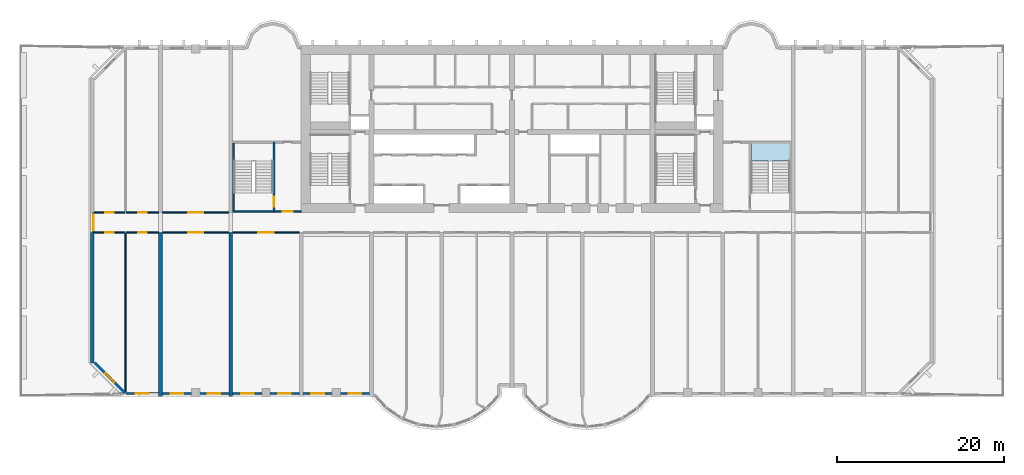
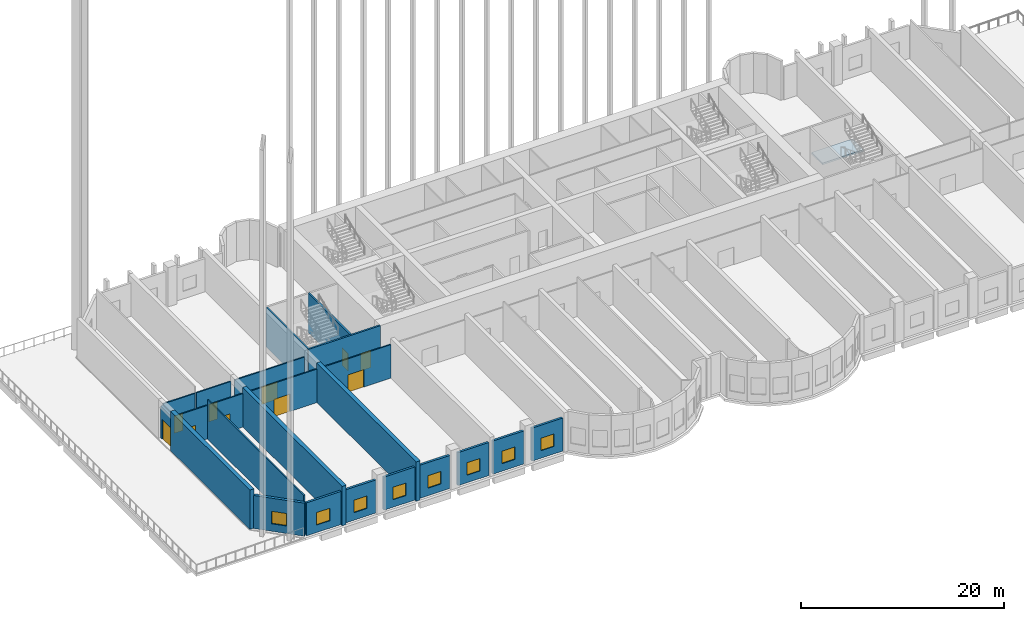
# One storey, part 2 of 11: 23 walls, 10 doors, 8 windows, 1 slab, 18 openings, 1 element without a shape of its own.
"""IFC4 building model written with IfcOpenShell, lengths in metres."""

import ifcopenshell
import ifcopenshell.guid

model = None  # the IFC model being written
_history = None  # IfcOwnerHistory: only IFC2X3 demands one
_inside = {}  # id of a spatial element -> (the spatial element, [elements in it])
_under = {}  # id of a project, library or spatial element -> (it, [spatial elements below it])
_declared = {}  # id of a project -> (the project, [libraries it declares])
_typed = {}  # id of a type object -> (the type object, [elements of that type])
_made_of = {}  # id of a material, layer set ... -> (it, [elements and type objects made of it])


def new_model(schema):
    """Start an empty IFC model of exactly this schema.

    Asked for "IFC4X3", IfcOpenShell would pick the latest addendum, in which some entities
    have other attributes; the version numbers below select the first issue.
    IFC2X3 requires an IfcOwnerHistory on every rooted entity: one is made here for all.
    """
    global model, _history
    if schema == "IFC4X3":
        model = ifcopenshell.file(schema_version=(4, 3, 0, 0))
    else:
        model = ifcopenshell.file(schema=schema)
    _inside.clear()
    _under.clear()
    _declared.clear()
    _typed.clear()
    _made_of.clear()
    _history = None
    if model.schema == "IFC2X3":
        org = make("IfcOrganization", Name="unknown")
        user = make(
            "IfcPersonAndOrganization",
            ThePerson=make("IfcPerson", FamilyName="unknown"),
            TheOrganization=org,
        )
        app = make(
            "IfcApplication",
            ApplicationDeveloper=org,
            Version="unknown",
            ApplicationFullName="unknown",
            ApplicationIdentifier="unknown",
        )
        _history = make(
            "IfcOwnerHistory",
            OwningUser=user,
            OwningApplication=app,
            ChangeAction="ADDED",
            CreationDate=0,
        )
    return model


def make(cls, **values):
    """One entity of the class cls with the attributes given. An attribute that is None is left unset."""
    return model.create_entity(
        cls, **{name: value for name, value in values.items() if value is not None}
    )


def rooted(cls, **values):
    """An entity with a GlobalId (a new one), such as an element, a storey or a relation."""
    return make(cls, GlobalId=ifcopenshell.guid.new(), OwnerHistory=_history, **values)


def si_unit(unit_type, name, prefix=None):
    """IfcSIUnit, for example si_unit("LENGTHUNIT", "METRE", prefix="MILLI")."""
    return make("IfcSIUnit", UnitType=unit_type, Prefix=prefix, Name=name)


def assignment(units):
    """IfcUnitAssignment: the units of a project."""
    return None if units is None else make("IfcUnitAssignment", Units=units)


def point(xyz):
    """IfcCartesianPoint."""
    return None if xyz is None else make("IfcCartesianPoint", Coordinates=xyz)


def direction(xyz):
    """IfcDirection."""
    return None if xyz is None else make("IfcDirection", DirectionRatios=xyz)


def frame(location, z_axis=None, x_axis=None):
    """IfcAxis2Placement3D, a coordinate frame: its origin and axes. An axis left out is left unset."""
    return make(
        "IfcAxis2Placement3D",
        Location=point(location),
        Axis=direction(z_axis),
        RefDirection=direction(x_axis),
    )


def frame_2d(location, x_axis=None):
    """IfcAxis2Placement2D, a coordinate frame in the plane: its origin and x axis."""
    return make(
        "IfcAxis2Placement2D", Location=point(location), RefDirection=direction(x_axis)
    )


def origin():
    """The frame at (0, 0, 0) with its axes left unset."""
    return frame((0.0, 0.0, 0.0))


def place(relative_to, where):
    """IfcLocalPlacement: puts the frame where relative to a parent placement (None: the world)."""
    return make(
        "IfcLocalPlacement", PlacementRelTo=relative_to, RelativePlacement=where
    )


def context(
    kind, dimensions, precision=None, world=None, true_north=None, identifier=None
):
    """IfcGeometricRepresentationContext, for example the 3D "Model" context."""
    return make(
        "IfcGeometricRepresentationContext",
        ContextIdentifier=identifier,
        ContextType=kind,
        CoordinateSpaceDimension=dimensions,
        Precision=precision,
        WorldCoordinateSystem=world,
        TrueNorth=true_north,
    )


def subcontext(parent, identifier, kind, view, scale=None):
    """IfcGeometricRepresentationSubContext, for example "Body" below "Model"."""
    return make(
        "IfcGeometricRepresentationSubContext",
        ContextIdentifier=identifier,
        ContextType=kind,
        ParentContext=parent,
        TargetScale=scale,
        TargetView=view,
    )


def project(units=None, contexts=None):
    """IfcProject with its units and contexts."""
    return rooted(
        "IfcProject",
        Name="project",
        RepresentationContexts=contexts,
        UnitsInContext=assignment(units),
    )


def spatial(cls, under=None, at=None, **own):
    """A site, building, storey or space (cls), placed at a placement, below another one or the project."""
    s = rooted(cls, ObjectPlacement=at, **own)
    if under is not None:
        _under.setdefault(under.id(), (under, []))[1].append(s)
    return s


def polyline(points):
    """IfcPolyline through the points."""
    return make("IfcPolyline", Points=[point(p) for p in points])


def profile(cls, at=None, kind="AREA", **sizes):
    """A parametric profile (cls). Its sizes go by their IFC names, for example OverallWidth=200.0."""
    return make(cls, ProfileType=kind, Position=at, **sizes)


def rectangle(**sizes):
    """IfcRectangleProfileDef."""
    return profile("IfcRectangleProfileDef", **sizes)


def outline(outer, holes=None, kind="AREA"):
    """IfcArbitraryClosedProfileDef: a profile drawn as a closed curve; with holes, ...WithVoids."""
    if holes is None:
        return make("IfcArbitraryClosedProfileDef", ProfileType=kind, OuterCurve=outer)
    return make(
        "IfcArbitraryProfileDefWithVoids",
        ProfileType=kind,
        OuterCurve=outer,
        InnerCurves=holes,
    )


def extrude(swept, where, along, depth):
    """IfcExtrudedAreaSolid: the profile swept, set in the frame where, extruded along a direction by depth."""
    return make(
        "IfcExtrudedAreaSolid",
        SweptArea=swept,
        Position=where,
        ExtrudedDirection=direction(along),
        Depth=depth,
    )


def shape(context_of_items, identifier, shape_type, items):
    """IfcShapeRepresentation: the items that make up one representation, for example the "Body"."""
    return make(
        "IfcShapeRepresentation",
        ContextOfItems=context_of_items,
        RepresentationIdentifier=identifier,
        RepresentationType=shape_type,
        Items=items,
    )


def source(mapping_origin, context_of_items, identifier, shape_type, items):
    """IfcRepresentationMap: a shape defined once, which mapped items show again and again."""
    return make(
        "IfcRepresentationMap",
        MappingOrigin=mapping_origin,
        MappedRepresentation=shape(context_of_items, identifier, shape_type, items),
    )


def transform(
    local_origin,
    x_axis=None,
    y_axis=None,
    z_axis=None,
    scale=None,
    scale2=None,
    scale3=None,
    uniform=True,
):
    """IfcCartesianTransformationOperator3D, or its non-uniform kind. x_axis, y_axis, z_axis: its Axis1, 2, 3."""
    if uniform:
        return make(
            "IfcCartesianTransformationOperator3D",
            Axis1=direction(x_axis),
            Axis2=direction(y_axis),
            LocalOrigin=point(local_origin),
            Scale=scale,
            Axis3=direction(z_axis),
        )
    return make(
        "IfcCartesianTransformationOperator3DnonUniform",
        Axis1=direction(x_axis),
        Axis2=direction(y_axis),
        LocalOrigin=point(local_origin),
        Scale=scale,
        Axis3=direction(z_axis),
        Scale2=scale2,
        Scale3=scale3,
    )


def mapped(mapping_source, mapping_target):
    """IfcMappedItem: shows the shape of a source again, moved by a transform."""
    return make(
        "IfcMappedItem", MappingSource=mapping_source, MappingTarget=mapping_target
    )


def material(Name=None, Category=None):
    """IfcMaterial."""
    return make("IfcMaterial", Name=Name, Category=Category)


def layer(
    of_material, thickness, ventilated=None, Name=None, Category=None, Priority=None
):
    """IfcMaterialLayer: one layer of a wall or slab, of a material (None: an air gap)."""
    return make(
        "IfcMaterialLayer",
        Material=of_material,
        LayerThickness=thickness,
        IsVentilated=ventilated,
        Name=Name,
        Category=Category,
        Priority=Priority,
    )


def layer_set(layers, Name=None):
    """IfcMaterialLayerSet."""
    return make("IfcMaterialLayerSet", MaterialLayers=layers, LayerSetName=Name)


def made_of(thing, what):
    """Note that an element or type object is made of a material, layer set ...; save() writes the relation."""
    if what is not None:
        _made_of.setdefault(what.id(), (what, []))[1].append(thing)
    return thing


def type_object(cls, material=None, **own):
    """A type object (cls), such as IfcWallType, which elements share."""
    return made_of(rooted(cls, **own), material)


def element(
    cls,
    number,
    at=None,
    inside=None,
    cuts=None,
    type_object=None,
    material=None,
    context=None,
    identifier="Body",
    shape_type=None,
    held_by="IfcProductDefinitionShape",
    body=None,
    shapes=None,
    **own,
):
    """One element of the class cls, such as IfcWall. Its Tag is "e" and its number.

    at: its placement. inside: the storey or other place that contains it. cuts: it is an
    opening in that element (IfcRelVoidsElement). A single representation is given by context,
    identifier, shape_type and body (its items); several are given by shapes. held_by: the class
    of the entity that holds the representations. save() writes the other relations.
    """
    e = rooted(cls, Tag="e%d" % number, ObjectPlacement=at, **own)
    if body is not None:
        shapes = [shape(context, identifier, shape_type, body)]
    if shapes is not None:
        e.Representation = make(held_by, Representations=shapes)
    if inside is not None:
        _inside.setdefault(inside.id(), (inside, []))[1].append(e)
    if cuts is not None:
        rooted(
            "IfcRelVoidsElement", RelatingBuildingElement=cuts, RelatedOpeningElement=e
        )
    if type_object is not None:
        _typed.setdefault(type_object.id(), (type_object, []))[1].append(e)
    return made_of(e, material)


def fill(opening, filler):
    """IfcRelFillsElement: the door or window that sits in an opening."""
    return rooted(
        "IfcRelFillsElement",
        RelatingOpeningElement=opening,
        RelatedBuildingElement=filler,
    )


def aggregate(whole, parts):
    """IfcRelAggregates: a whole, such as a stair, and the parts it consists of."""
    return rooted("IfcRelAggregates", RelatingObject=whole, RelatedObjects=parts)


def save(model, path):
    """Write the relations noted so far, then the file.

    IfcRelAggregates (storeys below a building ...), IfcRelContainedInSpatialStructure (elements
    in a storey), IfcRelDefinesByType, IfcRelAssociatesMaterial and IfcRelDeclares: one each for
    every whole, place, type object, material and project.
    """
    for whole, parts in _under.values():
        aggregate(whole, parts)
    for where, things in _inside.values():
        rooted(
            "IfcRelContainedInSpatialStructure",
            RelatedElements=things,
            RelatingStructure=where,
        )
    for kind, things in _typed.values():
        rooted("IfcRelDefinesByType", RelatedObjects=things, RelatingType=kind)
    for what, things in _made_of.values():
        rooted("IfcRelAssociatesMaterial", RelatedObjects=things, RelatingMaterial=what)
    for by, libraries in _declared.values():
        rooted("IfcRelDeclares", RelatingContext=by, RelatedDefinitions=libraries)
    model.write(path)


model = new_model("IFC4")

# Units and contexts
model_context = context("Model", 3, precision=1e-05, world=origin(), true_north=direction((0.0, 1.0)))
body_context = subcontext(model_context, "Body", "Model", "MODEL_VIEW")
ifc_project = project(units=[si_unit("LENGTHUNIT", "METRE"), si_unit("AREAUNIT", "SQUARE_METRE"), si_unit("VOLUMEUNIT", "CUBIC_METRE"), si_unit("PLANEANGLEUNIT", "RADIAN"), si_unit("MASSUNIT", "GRAM", prefix="KILO")], contexts=[model_context])

# Site, building, storey
site_placement = place(None, origin())
site = spatial("IfcSite", under=ifc_project, at=site_placement, CompositionType="ELEMENT")
building_placement = place(site_placement, origin())
building = spatial("IfcBuilding", under=site, at=building_placement, Name="Vanashikhar Sky Hotel", CompositionType="ELEMENT")
storey_placement = place(building_placement, frame((0.0, 0.0, 18.0)))
storey = spatial("IfcBuildingStorey", under=building, at=storey_placement, Name="L03", CompositionType="ELEMENT", Elevation=18.0)

# Stair, slab
ifc_material_1 = material(Name="Concrete M40", Category="concrete")
stair_type = type_object("IfcStairType", Name="Exit stair 2150", PredefinedType="DOUBLE_RETURN_STAIR", material=ifc_material_1)
stair_placement = place(storey_placement, origin())
stair = element("IfcStair", 1, at=stair_placement, inside=storey, type_object=stair_type, Name="L03 Exit stair 4", PredefinedType="DOUBLE_RETURN_STAIR")
ifc_layer_1 = layer(ifc_material_1, 0.199951171875)
ifc_layer_set_1 = layer_set([ifc_layer_1], Name="Stair landing 200")
slab_type = type_object("IfcSlabType", Name="Stair landing 200", PredefinedType="LANDING", material=ifc_layer_set_1)
shared_shape_1 = source(origin(), body_context, "Body", "SweptSolid", [
    extrude(outline(polyline([(83.60009765625, 28.14990234375), (83.60009765625, 30.300048828125), (78.949951171875, 30.300048828125), (78.949951171875, 28.14990234375), (83.60009765625, 28.14990234375)])), origin(), (0.0, 0.0, 1.0), 0.2001953125),
])
slab_placement = place(storey_placement, frame((0.0, 0.0, 1.466552734375)))
slab = element("IfcSlab", 2, at=slab_placement, type_object=slab_type, Name="ST-E landing 1", PredefinedType="LANDING", context=body_context, shape_type="MappedRepresentation", body=[
    mapped(shared_shape_1, transform((0.0, 0.0, 0.0), scale=1.0)),
])
aggregate(stair, [slab])

# Walls
ifc_material_2 = material(Name="Concrete M80", Category="concrete")
ifc_layer_2 = layer(ifc_material_2, 0.449951171875)
ifc_layer_set_2 = layer_set([ifc_layer_2], Name="RC shear wall 450 Concrete M80")
wall_type_1 = type_object("IfcWallType", Name="RC shear wall 450 Concrete M80", PredefinedType="SHEAR", material=ifc_layer_set_2)
shared_shape_2 = source(origin(), body_context, "Body", "SweptSolid", [
    extrude(rectangle(XDim=15.60009765625, YDim=0.449951171875, at=frame_2d((7.800048828125, 0.0))), origin(), (0.0, 0.0, 1.0), 4.719970703125),
])
wall_1_placement = place(storey_placement, frame((0.22509765625, 4.0, 0.0), z_axis=(0.0, 0.0, 1.0), x_axis=(0.0, 1.0, 0.0)))
element("IfcWall", 3, at=wall_1_placement, inside=storey, type_object=wall_type_1, Name="CW-L03-XW01-1", PredefinedType="SHEAR", context=body_context, shape_type="MappedRepresentation", body=[
    mapped(shared_shape_2, transform((0.0, 0.0, 0.0), scale=1.0)),
])
shared_shape_3 = source(origin(), body_context, "Body", "SweptSolid", [
    extrude(rectangle(XDim=19.60009765625, YDim=0.449951171875, at=frame_2d((9.800048828125, 0.0))), origin(), (0.0, 0.0, 1.0), 4.719970703125),
])
for number, where, z_axis, x_axis, name in (
    (4, (8.39990234375, 0.0, 0.0), (0.0, 0.0, 1.0), (0.0, 1.0, 0.0), "CW-L03-XW02-1"),
    (5, (16.800048828125, 0.0, 0.0), (0.0, 0.0, 1.0), (0.0, 1.0, 0.0), "CW-L03-XW03-1"),
):
    element("IfcWall", number, at=place(storey_placement, frame(where, z_axis=z_axis, x_axis=x_axis)), inside=storey, type_object=wall_type_1, Name=name, PredefinedType="SHEAR", context=body_context, shape_type="MappedRepresentation", body=[
        mapped(shared_shape_3, transform((0.0, 0.0, 0.0), scale=1.0)),
    ])

# Wall, opening, window
ifc_material_3 = material(Name="Concrete M50", Category="concrete")
ifc_layer_3 = layer(ifc_material_3, 0.25)
ifc_layer_set_3 = layer_set([ifc_layer_3], Name="Rear and end board-marked wall 250")
wall_type_2 = type_object("IfcWallType", Name="Rear and end board-marked wall 250", PredefinedType="SOLIDWALL", material=ifc_layer_set_3)
shared_shape_4 = source(origin(), body_context, "Body", "SweptSolid", [
    extrude(rectangle(XDim=3.52490234375, YDim=0.25, at=frame_2d((1.762451171875, 0.0))), origin(), (0.0, 0.0, 1.0), 3.969970703125),
])
wall_2_placement = place(storey_placement, frame((8.625, 0.375, 0.0), z_axis=(0.0, 0.0, 1.0), x_axis=(1.0, 0.0, 0.0)))
wall_2 = element("IfcWall", 6, at=wall_2_placement, inside=storey, type_object=wall_type_2, Name="Podium external wall", PredefinedType="SOLIDWALL", context=body_context, shape_type="MappedRepresentation", body=[
    mapped(shared_shape_4, transform((0.0, 0.0, 0.0), scale=1.0)),
])
shared_shape_5 = source(origin(), body_context, "Body", "SweptSolid", [
    extrude(rectangle(XDim=1.5, YDim=1.5, at=frame_2d((0.75, 0.75))), frame((0.0, 0.135009765625, 0.0), z_axis=(0.0, -1.0, 0.0), x_axis=(1.0, 0.0, 0.0)), (0.0, 0.0, 1.0), 0.27001953125),
])
opening_1_placement = place(wall_2_placement, frame((1.012451171875, 0.0, 0.89990234375)))
opening_1 = element("IfcOpeningElement", 7, at=opening_1_placement, cuts=wall_2, Name="Opening WN-1", PredefinedType="OPENING", context=body_context, shape_type="MappedRepresentation", body=[
    mapped(shared_shape_5, transform((0.0, 0.0, 0.0), scale=1.0)),
])
ifc_material_4 = material(Name="Glass", Category="glass")
window_type = type_object("IfcWindowType", Name="Window 1500 x 1500", PartitioningType="SINGLE_PANEL", PredefinedType="WINDOW", material=ifc_material_4)
shared_shape_6 = source(origin(), body_context, "Body", "SweptSolid", [
    extrude(rectangle(XDim=1.5, YDim=1.5, at=frame_2d((0.75, 0.75))), frame((0.0, 0.030029296875, 0.0), z_axis=(0.0, -1.0, 0.0), x_axis=(1.0, 0.0, 0.0)), (0.0, 0.0, 1.0), 0.06005859375),
])
window_1_placement = place(opening_1_placement, origin())
window_1 = element("IfcWindow", 8, at=window_1_placement, inside=storey, type_object=window_type, Name="Window WN-1", OverallHeight=1.5, OverallWidth=1.5, PartitioningType="SINGLE_PANEL", PredefinedType="WINDOW", context=body_context, shape_type="MappedRepresentation", body=[
    mapped(shared_shape_6, transform((0.0, 0.0, 0.0), scale=1.0)),
])
fill(opening_1, window_1)

wall_3_placement = place(storey_placement, frame((13.050048828125, 0.375, 0.0), z_axis=(0.0, 0.0, 1.0), x_axis=(1.0, 0.0, 0.0)))
wall_3 = element("IfcWall", 9, at=wall_3_placement, inside=storey, type_object=wall_type_2, Name="Podium external wall", PredefinedType="SOLIDWALL", context=body_context, shape_type="MappedRepresentation", body=[
    mapped(shared_shape_4, transform((0.0, 0.0, 0.0), scale=1.0)),
])
opening_2_placement = place(wall_3_placement, frame((1.012451171875, 0.0, 0.89990234375)))
opening_2 = element("IfcOpeningElement", 10, at=opening_2_placement, cuts=wall_3, Name="Opening WN-1", PredefinedType="OPENING", context=body_context, shape_type="MappedRepresentation", body=[
    mapped(shared_shape_5, transform((0.0, 0.0, 0.0), scale=1.0)),
])
window_2_placement = place(opening_2_placement, origin())
window_2 = element("IfcWindow", 11, at=window_2_placement, inside=storey, type_object=window_type, Name="Window WN-1", OverallHeight=1.5, OverallWidth=1.5, PartitioningType="SINGLE_PANEL", PredefinedType="WINDOW", context=body_context, shape_type="MappedRepresentation", body=[
    mapped(shared_shape_6, transform((0.0, 0.0, 0.0), scale=1.0)),
])
fill(opening_2, window_2)

wall_4_placement = place(storey_placement, frame((25.425048828125, 0.375, 0.0), z_axis=(0.0, 0.0, 1.0), x_axis=(1.0, 0.0, 0.0)))
wall_4 = element("IfcWall", 12, at=wall_4_placement, inside=storey, type_object=wall_type_2, Name="Podium external wall", PredefinedType="SOLIDWALL", context=body_context, shape_type="MappedRepresentation", body=[
    mapped(shared_shape_4, transform((0.0, 0.0, 0.0), scale=1.0)),
])
opening_3_placement = place(wall_4_placement, frame((1.012451171875, 0.0, 0.89990234375)))
opening_3 = element("IfcOpeningElement", 13, at=opening_3_placement, cuts=wall_4, Name="Opening WN-1", PredefinedType="OPENING", context=body_context, shape_type="MappedRepresentation", body=[
    mapped(shared_shape_5, transform((0.0, 0.0, 0.0), scale=1.0)),
])
window_3_placement = place(opening_3_placement, origin())
window_3 = element("IfcWindow", 14, at=window_3_placement, inside=storey, type_object=window_type, Name="Window WN-1", OverallHeight=1.5, OverallWidth=1.5, PartitioningType="SINGLE_PANEL", PredefinedType="WINDOW", context=body_context, shape_type="MappedRepresentation", body=[
    mapped(shared_shape_6, transform((0.0, 0.0, 0.0), scale=1.0)),
])
fill(opening_3, window_3)

wall_5_placement = place(storey_placement, frame((29.85009765625, 0.375, 0.0), z_axis=(0.0, 0.0, 1.0), x_axis=(1.0, 0.0, 0.0)))
wall_5 = element("IfcWall", 15, at=wall_5_placement, inside=storey, type_object=wall_type_2, Name="Podium external wall", PredefinedType="SOLIDWALL", context=body_context, shape_type="MappedRepresentation", body=[
    mapped(shared_shape_4, transform((0.0, 0.0, 0.0), scale=1.0)),
])
opening_4_placement = place(wall_5_placement, frame((1.012451171875, 0.0, 0.89990234375)))
opening_4 = element("IfcOpeningElement", 16, at=opening_4_placement, cuts=wall_5, Name="Opening WN-1", PredefinedType="OPENING", context=body_context, shape_type="MappedRepresentation", body=[
    mapped(shared_shape_5, transform((0.0, 0.0, 0.0), scale=1.0)),
])
window_4_placement = place(opening_4_placement, origin())
window_4 = element("IfcWindow", 17, at=window_4_placement, inside=storey, type_object=window_type, Name="Window WN-1", OverallHeight=1.5, OverallWidth=1.5, PartitioningType="SINGLE_PANEL", PredefinedType="WINDOW", context=body_context, shape_type="MappedRepresentation", body=[
    mapped(shared_shape_6, transform((0.0, 0.0, 0.0), scale=1.0)),
])
fill(opening_4, window_4)

shared_shape_7 = source(origin(), body_context, "Body", "SweptSolid", [
    extrude(rectangle(XDim=3.525146484375, YDim=0.25, at=frame_2d((1.7626953125, 0.0))), origin(), (0.0, 0.0, 1.0), 3.969970703125),
])
wall_6_placement = place(storey_placement, frame((17.02490234375, 0.375, 0.0), z_axis=(0.0, 0.0, 1.0), x_axis=(1.0, 0.0, 0.0)))
wall_6 = element("IfcWall", 18, at=wall_6_placement, inside=storey, type_object=wall_type_2, Name="Podium external wall", PredefinedType="SOLIDWALL", context=body_context, shape_type="MappedRepresentation", body=[
    mapped(shared_shape_7, transform((0.0, 0.0, 0.0), scale=1.0)),
])
opening_5_placement = place(wall_6_placement, frame((1.012451171875, 0.0, 0.89990234375)))
opening_5 = element("IfcOpeningElement", 19, at=opening_5_placement, cuts=wall_6, Name="Opening WN-1", PredefinedType="OPENING", context=body_context, shape_type="MappedRepresentation", body=[
    mapped(shared_shape_5, transform((0.0, 0.0, 0.0), scale=1.0)),
])
window_5_placement = place(opening_5_placement, origin())
window_5 = element("IfcWindow", 20, at=window_5_placement, inside=storey, type_object=window_type, Name="Window WN-1", OverallHeight=1.5, OverallWidth=1.5, PartitioningType="SINGLE_PANEL", PredefinedType="WINDOW", context=body_context, shape_type="MappedRepresentation", body=[
    mapped(shared_shape_6, transform((0.0, 0.0, 0.0), scale=1.0)),
])
fill(opening_5, window_5)

wall_7_placement = place(storey_placement, frame((21.449951171875, 0.375, 0.0), z_axis=(0.0, 0.0, 1.0), x_axis=(1.0, 0.0, 0.0)))
wall_7 = element("IfcWall", 21, at=wall_7_placement, inside=storey, type_object=wall_type_2, Name="Podium external wall", PredefinedType="SOLIDWALL", context=body_context, shape_type="MappedRepresentation", body=[
    mapped(shared_shape_7, transform((0.0, 0.0, 0.0), scale=1.0)),
])
opening_6_placement = place(wall_7_placement, frame((1.012451171875, 0.0, 0.89990234375)))
opening_6 = element("IfcOpeningElement", 22, at=opening_6_placement, cuts=wall_7, Name="Opening WN-1", PredefinedType="OPENING", context=body_context, shape_type="MappedRepresentation", body=[
    mapped(shared_shape_5, transform((0.0, 0.0, 0.0), scale=1.0)),
])
window_6_placement = place(opening_6_placement, origin())
window_6 = element("IfcWindow", 23, at=window_6_placement, inside=storey, type_object=window_type, Name="Window WN-1", OverallHeight=1.5, OverallWidth=1.5, PartitioningType="SINGLE_PANEL", PredefinedType="WINDOW", context=body_context, shape_type="MappedRepresentation", body=[
    mapped(shared_shape_6, transform((0.0, 0.0, 0.0), scale=1.0)),
])
fill(opening_6, window_6)

shared_shape_8 = source(origin(), body_context, "Body", "SweptSolid", [
    extrude(rectangle(XDim=3.899658203125, YDim=0.25, at=frame_2d((1.94970703125, 0.0))), origin(), (0.0, 0.0, 1.0), 3.969970703125),
])
wall_8_placement = place(storey_placement, frame((4.275390625, 0.375, 0.0), z_axis=(0.0, 0.0, 1.0), x_axis=(1.0, 0.0, 0.0)))
wall_8 = element("IfcWall", 24, at=wall_8_placement, inside=storey, type_object=wall_type_2, Name="Podium external wall", PredefinedType="SOLIDWALL", context=body_context, shape_type="MappedRepresentation", body=[
    mapped(shared_shape_8, transform((0.0, 0.0, 0.0), scale=1.0)),
])
opening_7_placement = place(wall_8_placement, frame((1.139892578125, 0.0, 0.89990234375)))
opening_7 = element("IfcOpeningElement", 25, at=opening_7_placement, cuts=wall_8, Name="Opening WN-1", PredefinedType="OPENING", context=body_context, shape_type="MappedRepresentation", body=[
    mapped(shared_shape_5, transform((0.0, 0.0, 0.0), scale=1.0)),
])
window_7_placement = place(opening_7_placement, origin())
window_7 = element("IfcWindow", 26, at=window_7_placement, inside=storey, type_object=window_type, Name="Window WN-1", OverallHeight=1.5, OverallWidth=1.5, PartitioningType="SINGLE_PANEL", PredefinedType="WINDOW", context=body_context, shape_type="MappedRepresentation", body=[
    mapped(shared_shape_6, transform((0.0, 0.0, 0.0), scale=1.0)),
])
fill(opening_7, window_7)

ifc_layer_4 = layer(ifc_material_3, 0.300048828125)
ifc_layer_set_4 = layer_set([ifc_layer_4], Name="Lobe wall 300")
wall_type_3 = type_object("IfcWallType", Name="Lobe wall 300", PredefinedType="SOLIDWALL", material=ifc_layer_set_4)
shared_shape_9 = source(origin(), body_context, "Body", "SweptSolid", [
    extrude(rectangle(XDim=5.173095703125, YDim=0.300048828125, at=frame_2d((2.58642578125, 0.0))), origin(), (0.0, 0.0, 1.0), 3.969970703125),
])
wall_9_placement = place(storey_placement, frame((0.5078125, 4.057861328125, 0.0), z_axis=(0.0, 0.0, 1.0), x_axis=(0.707106781187, -0.707106781187, 0.0)))
wall_9 = element("IfcWall", 27, at=wall_9_placement, inside=storey, type_object=wall_type_3, Name="Corner wall", PredefinedType="SOLIDWALL", context=body_context, shape_type="MappedRepresentation", body=[
    mapped(shared_shape_9, transform((0.0, 0.0, 0.0), scale=1.0)),
])
shared_shape_10 = source(origin(), body_context, "Body", "SweptSolid", [
    extrude(rectangle(XDim=1.5, YDim=1.5, at=frame_2d((0.75, 0.75))), frame((0.0, 0.16015625, 0.0), z_axis=(0.0, -1.0, 0.0), x_axis=(1.0, 0.0, 0.0)), (0.0, 0.0, 1.0), 0.320068359375),
])
opening_8_placement = place(wall_9_placement, frame((1.83642578125, 0.0, 0.89990234375)))
opening_8 = element("IfcOpeningElement", 28, at=opening_8_placement, cuts=wall_9, Name="Opening WN-1", PredefinedType="OPENING", context=body_context, shape_type="MappedRepresentation", body=[
    mapped(shared_shape_10, transform((0.0, 0.0, 0.0), scale=1.0)),
])
window_8_placement = place(opening_8_placement, origin())
window_8 = element("IfcWindow", 29, at=window_8_placement, inside=storey, type_object=window_type, Name="Window WN-1", OverallHeight=1.5, OverallWidth=1.5, PartitioningType="SINGLE_PANEL", PredefinedType="WINDOW", context=body_context, shape_type="MappedRepresentation", body=[
    mapped(shared_shape_6, transform((0.0, 0.0, 0.0), scale=1.0)),
])
fill(opening_8, window_8)

# Wall, opening, door
shared_shape_11 = source(origin(), body_context, "Body", "SweptSolid", [
    extrude(rectangle(XDim=2.39990234375, YDim=0.25, at=frame_2d((1.199951171875, 0.0))), origin(), (0.0, 0.0, 1.0), 3.820068359375),
])
wall_10_placement = place(storey_placement, frame((0.375, 22.0, 0.0), z_axis=(0.0, 0.0, 1.0), x_axis=(0.0, -1.0, 0.0)))
wall_10 = element("IfcWall", 30, at=wall_10_placement, inside=storey, type_object=wall_type_2, Name="Podium external wall", PredefinedType="SOLIDWALL", context=body_context, shape_type="MappedRepresentation", body=[
    mapped(shared_shape_11, transform((0.0, 0.0, 0.0), scale=1.0)),
])
shared_shape_12 = source(origin(), body_context, "Body", "SweptSolid", [
    extrude(rectangle(XDim=1.800048828125, YDim=2.39990234375, at=frame_2d((0.89990234375, 1.199951171875))), frame((0.0, 0.135009765625, 0.0), z_axis=(0.0, -1.0, 0.0), x_axis=(1.0, 0.0, 0.0)), (0.0, 0.0, 1.0), 0.27001953125),
])
opening_9_placement = place(wall_10_placement, frame((0.300048828125, 0.0, 0.0)))
opening_9 = element("IfcOpeningElement", 31, at=opening_9_placement, cuts=wall_10, Name="Opening DX-2-302", PredefinedType="OPENING", context=body_context, shape_type="MappedRepresentation", body=[
    mapped(shared_shape_12, transform((0.0, 0.0, 0.0), scale=1.0)),
])
ifc_material_5 = material(Name="Aluminium", Category="aluminium")
door_type_1 = type_object("IfcDoorType", Name="Garden double door 1800 x 2400", OperationType="NOTDEFINED", PredefinedType="DOOR", material=ifc_material_5)
shared_shape_13 = source(origin(), body_context, "Body", "SweptSolid", [
    extrude(rectangle(XDim=1.800048828125, YDim=2.39990234375, at=frame_2d((0.89990234375, 1.199951171875))), frame((0.0, 0.02490234375, 0.0), z_axis=(0.0, -1.0, 0.0), x_axis=(1.0, 0.0, 0.0)), (0.0, 0.0, 1.0), 0.050048828125),
])
door_1_placement = place(opening_9_placement, origin())
door_1 = element("IfcDoor", 32, at=door_1_placement, inside=storey, type_object=door_type_1, Name="Garden double door", OperationType="DOUBLE_DOOR_SINGLE_SWING", OverallHeight=2.39990234375, OverallWidth=1.800048828125, PredefinedType="DOOR", context=body_context, shape_type="MappedRepresentation", body=[
    mapped(shared_shape_13, transform((0.0, 0.0, 0.0), scale=1.0)),
])
fill(opening_9, door_1)

ifc_layer_5 = layer(ifc_material_3, 0.199951171875)
ifc_layer_set_5 = layer_set([ifc_layer_5], Name="Stair wall 200")
wall_type_4 = type_object("IfcWallType", Name="Stair wall 200", PredefinedType="SOLIDWALL", material=ifc_layer_set_5)
shared_shape_14 = source(origin(), body_context, "Body", "SweptSolid", [
    extrude(rectangle(XDim=8.2998046875, YDim=0.199951171875, at=frame_2d((4.14990234375, 0.0))), origin(), (0.0, 0.0, 1.0), 4.719970703125),
])
wall_11_placement = place(storey_placement, frame((21.949951171875, 22.10009765625, 0.0), z_axis=(0.0, 0.0, 1.0), x_axis=(0.0, 1.0, 0.0)))
wall_11 = element("IfcWall", 33, at=wall_11_placement, inside=storey, type_object=wall_type_4, Name="Stair wall 200", PredefinedType="SOLIDWALL", context=body_context, shape_type="MappedRepresentation", body=[
    mapped(shared_shape_14, transform((0.0, 0.0, 0.0), scale=1.0)),
])
shared_shape_15 = source(origin(), body_context, "Body", "SweptSolid", [
    extrude(rectangle(XDim=1.199951171875, YDim=2.10009765625, at=frame_2d((0.60009765625, 1.050048828125))), frame((0.0, 0.10986328125, 0.0), z_axis=(0.0, -1.0, 0.0), x_axis=(1.0, 0.0, 0.0)), (0.0, 0.0, 1.0), 0.219970703125),
])
opening_10_placement = place(wall_11_placement, frame((0.60009765625, 0.0, 0.0)))
opening_10 = element("IfcOpeningElement", 34, at=opening_10_placement, cuts=wall_11, Name="Opening DC-1", PredefinedType="OPENING", context=body_context, shape_type="MappedRepresentation", body=[
    mapped(shared_shape_15, transform((0.0, 0.0, 0.0), scale=1.0)),
])
ifc_material_6 = material(Name="Steel", Category="steel")
door_type_2 = type_object("IfcDoorType", Name="Stair door 1200 FD120", OperationType="NOTDEFINED", PredefinedType="DOOR", material=ifc_material_6)
shared_shape_16 = source(origin(), body_context, "Body", "SweptSolid", [
    extrude(rectangle(XDim=1.199951171875, YDim=2.10009765625, at=frame_2d((0.60009765625, 1.050048828125))), frame((0.0, 0.02490234375, 0.0), z_axis=(0.0, -1.0, 0.0), x_axis=(1.0, 0.0, 0.0)), (0.0, 0.0, 1.0), 0.050048828125),
])
door_2_placement = place(opening_10_placement, origin())
door_2 = element("IfcDoor", 35, at=door_2_placement, inside=storey, type_object=door_type_2, Name="Stair door 1200 FD120", OperationType="SINGLE_SWING_RIGHT", OverallHeight=2.10009765625, OverallWidth=1.199951171875, PredefinedType="DOOR", context=body_context, shape_type="MappedRepresentation", body=[
    mapped(shared_shape_16, transform((0.0, 0.0, 0.0), scale=1.0)),
])
fill(opening_10, door_2)

shared_shape_17 = source(origin(), body_context, "Body", "SweptSolid", [
    extrude(rectangle(XDim=8.175048828125, YDim=0.199951171875, at=frame_2d((4.08740234375, 0.0))), origin(), (0.0, 0.0, 1.0), 4.719970703125),
])
wall_12_placement = place(storey_placement, frame((17.02490234375, 22.10009765625, 0.0), z_axis=(0.0, 0.0, 1.0), x_axis=(1.0, 0.0, 0.0)))
wall_12 = element("IfcWall", 36, at=wall_12_placement, inside=storey, type_object=wall_type_4, Name="Stair wall 200", PredefinedType="SOLIDWALL", context=body_context, shape_type="MappedRepresentation", body=[
    mapped(shared_shape_17, transform((0.0, 0.0, 0.0), scale=1.0)),
])
opening_11_placement = place(wall_12_placement, frame((5.97509765625, 0.0, 0.0)))
opening_11 = element("IfcOpeningElement", 37, at=opening_11_placement, cuts=wall_12, Name="Opening DC-2", PredefinedType="OPENING", context=body_context, shape_type="MappedRepresentation", body=[
    mapped(shared_shape_15, transform((0.0, 0.0, 0.0), scale=1.0)),
])
door_type_3 = type_object("IfcDoorType", Name="Firefighting lobby door 1200 FD120", OperationType="NOTDEFINED", PredefinedType="DOOR", material=ifc_material_6)
door_3_placement = place(opening_11_placement, origin())
door_3 = element("IfcDoor", 38, at=door_3_placement, inside=storey, type_object=door_type_3, Name="Firefighting lobby door 1200 FD120", OperationType="SINGLE_SWING_LEFT", OverallHeight=2.10009765625, OverallWidth=1.199951171875, PredefinedType="DOOR", context=body_context, shape_type="MappedRepresentation", body=[
    mapped(shared_shape_16, transform((0.0, 0.0, 0.0), scale=1.0)),
])
fill(opening_11, door_3)

# Wall
ifc_layer_6 = layer(ifc_material_3, 0.175048828125)
ifc_layer_set_6 = layer_set([ifc_layer_6], Name="Stair infill wall 175")
wall_type_5 = type_object("IfcWallType", Name="Stair infill wall 175", PredefinedType="SOLIDWALL", material=ifc_layer_set_6)
shared_shape_18 = source(origin(), body_context, "Body", "SweptSolid", [
    extrude(rectangle(XDim=8.10009765625, YDim=0.175048828125, at=frame_2d((4.050048828125, 0.0))), origin(), (0.0, 0.0, 1.0), 4.719970703125),
])
wall_13_placement = place(storey_placement, frame((17.112060546875, 22.199951171875, 0.0), z_axis=(0.0, 0.0, 1.0), x_axis=(0.0, 1.0, 0.0)))
element("IfcWall", 39, at=wall_13_placement, inside=storey, type_object=wall_type_5, Name="Stair infill wall 175", PredefinedType="SOLIDWALL", context=body_context, shape_type="MappedRepresentation", body=[
    mapped(shared_shape_18, transform((0.0, 0.0, 0.0), scale=1.0)),
])

# Wall, opening, door
ifc_material_7 = material(Name="Gypsum plasterboard partition")
ifc_layer_7 = layer(ifc_material_7, 0.14990234375)
ifc_layer_set_7 = layer_set([ifc_layer_7], Name="Corridor and demising partition 150")
wall_type_6 = type_object("IfcWallType", Name="Corridor and demising partition 150", PredefinedType="PARTITIONING", material=ifc_layer_set_7)
shared_shape_19 = source(origin(), body_context, "Body", "SweptSolid", [
    extrude(rectangle(XDim=3.625, YDim=0.14990234375, at=frame_2d((1.8125, 0.0))), origin(), (0.0, 0.0, 1.0), 4.02001953125),
])
wall_14_placement = place(storey_placement, frame((0.5, 19.60009765625, 0.0), z_axis=(0.0, 0.0, 1.0), x_axis=(1.0, 0.0, 0.0)))
wall_14 = element("IfcWall", 40, at=wall_14_placement, inside=storey, type_object=wall_type_6, Name="W-L03-PW001", PredefinedType="PARTITIONING", context=body_context, shape_type="MappedRepresentation", body=[
    mapped(shared_shape_19, transform((0.0, 0.0, 0.0), scale=1.0)),
])
shared_shape_20 = source(origin(), body_context, "Body", "SweptSolid", [
    extrude(rectangle(XDim=1.0, YDim=2.10009765625, at=frame_2d((0.5, 1.050048828125))), frame((0.0, 0.0849609375, 0.0), z_axis=(0.0, -1.0, 0.0), x_axis=(1.0, 0.0, 0.0)), (0.0, 0.0, 1.0), 0.169921875),
])
opening_12_placement = place(wall_14_placement, frame((1.2880859375, 0.0, 0.0)))
opening_12 = element("IfcOpeningElement", 41, at=opening_12_placement, cuts=wall_14, Name="Opening D-01", PredefinedType="OPENING", context=body_context, shape_type="MappedRepresentation", body=[
    mapped(shared_shape_20, transform((0.0, 0.0, 0.0), scale=1.0)),
])
ifc_material_8 = material(Name="Timber fire door", Category="wood")
door_type_4 = type_object("IfcDoorType", Name="Guest entry door 1000 FD30S", OperationType="NOTDEFINED", PredefinedType="DOOR", material=ifc_material_8)
shared_shape_21 = source(origin(), body_context, "Body", "SweptSolid", [
    extrude(rectangle(XDim=1.0, YDim=2.10009765625, at=frame_2d((0.5, 1.050048828125))), frame((0.0, 0.02490234375, 0.0), z_axis=(0.0, -1.0, 0.0), x_axis=(1.0, 0.0, 0.0)), (0.0, 0.0, 1.0), 0.050048828125),
])
door_4_placement = place(opening_12_placement, origin())
door_4 = element("IfcDoor", 42, at=door_4_placement, inside=storey, type_object=door_type_4, Name="D-L03-001", OperationType="SINGLE_SWING_LEFT", OverallHeight=2.10009765625, OverallWidth=1.0, PredefinedType="DOOR", context=body_context, shape_type="MappedRepresentation", body=[
    mapped(shared_shape_21, transform((0.0, 0.0, 0.0), scale=1.0)),
])
fill(opening_12, door_4)

wall_15_placement = place(storey_placement, frame((0.5, 22.0, 0.0), z_axis=(0.0, 0.0, 1.0), x_axis=(1.0, 0.0, 0.0)))
wall_15 = element("IfcWall", 43, at=wall_15_placement, inside=storey, type_object=wall_type_6, Name="W-L03-PW027", PredefinedType="PARTITIONING", context=body_context, shape_type="MappedRepresentation", body=[
    mapped(shared_shape_19, transform((0.0, 0.0, 0.0), scale=1.0)),
])
opening_13_placement = place(wall_15_placement, frame((1.2880859375, 0.0, 0.0)))
opening_13 = element("IfcOpeningElement", 44, at=opening_13_placement, cuts=wall_15, Name="Opening D-01", PredefinedType="OPENING", context=body_context, shape_type="MappedRepresentation", body=[
    mapped(shared_shape_20, transform((0.0, 0.0, 0.0), scale=1.0)),
])
door_5_placement = place(opening_13_placement, origin())
door_5 = element("IfcDoor", 45, at=door_5_placement, inside=storey, type_object=door_type_4, Name="D-L03-019", OperationType="SINGLE_SWING_LEFT", OverallHeight=2.10009765625, OverallWidth=1.0, PredefinedType="DOOR", context=body_context, shape_type="MappedRepresentation", body=[
    mapped(shared_shape_21, transform((0.0, 0.0, 0.0), scale=1.0)),
])
fill(opening_13, door_5)

shared_shape_22 = source(origin(), body_context, "Body", "SweptSolid", [
    extrude(rectangle(XDim=3.900146484375, YDim=0.14990234375, at=frame_2d((1.9501953125, 0.0))), origin(), (0.0, 0.0, 1.0), 4.02001953125),
])
wall_16_placement = place(storey_placement, frame((4.27490234375, 19.60009765625, 0.0), z_axis=(0.0, 0.0, 1.0), x_axis=(1.0, 0.0, 0.0)))
wall_16 = element("IfcWall", 46, at=wall_16_placement, inside=storey, type_object=wall_type_6, Name="W-L03-PW002", PredefinedType="PARTITIONING", context=body_context, shape_type="MappedRepresentation", body=[
    mapped(shared_shape_22, transform((0.0, 0.0, 0.0), scale=1.0)),
])
opening_14_placement = place(wall_16_placement, frame((1.449951171875, 0.0, 0.0)))
opening_14 = element("IfcOpeningElement", 47, at=opening_14_placement, cuts=wall_16, Name="Opening D-01", PredefinedType="OPENING", context=body_context, shape_type="MappedRepresentation", body=[
    mapped(shared_shape_20, transform((0.0, 0.0, 0.0), scale=1.0)),
])
door_6_placement = place(opening_14_placement, origin())
door_6 = element("IfcDoor", 48, at=door_6_placement, inside=storey, type_object=door_type_4, Name="D-L03-002", OperationType="SINGLE_SWING_RIGHT", OverallHeight=2.10009765625, OverallWidth=1.0, PredefinedType="DOOR", context=body_context, shape_type="MappedRepresentation", body=[
    mapped(shared_shape_21, transform((0.0, 0.0, 0.0), scale=1.0)),
])
fill(opening_14, door_6)

wall_17_placement = place(storey_placement, frame((4.27490234375, 22.0, 0.0), z_axis=(0.0, 0.0, 1.0), x_axis=(1.0, 0.0, 0.0)))
wall_17 = element("IfcWall", 49, at=wall_17_placement, inside=storey, type_object=wall_type_6, Name="W-L03-PW028", PredefinedType="PARTITIONING", context=body_context, shape_type="MappedRepresentation", body=[
    mapped(shared_shape_22, transform((0.0, 0.0, 0.0), scale=1.0)),
])
opening_15_placement = place(wall_17_placement, frame((1.449951171875, 0.0, 0.0)))
opening_15 = element("IfcOpeningElement", 50, at=opening_15_placement, cuts=wall_17, Name="Opening D-01", PredefinedType="OPENING", context=body_context, shape_type="MappedRepresentation", body=[
    mapped(shared_shape_20, transform((0.0, 0.0, 0.0), scale=1.0)),
])
door_7_placement = place(opening_15_placement, origin())
door_7 = element("IfcDoor", 51, at=door_7_placement, inside=storey, type_object=door_type_4, Name="D-L03-020", OperationType="SINGLE_SWING_RIGHT", OverallHeight=2.10009765625, OverallWidth=1.0, PredefinedType="DOOR", context=body_context, shape_type="MappedRepresentation", body=[
    mapped(shared_shape_21, transform((0.0, 0.0, 0.0), scale=1.0)),
])
fill(opening_15, door_7)

# Wall
shared_shape_23 = source(origin(), body_context, "Body", "SweptSolid", [
    extrude(rectangle(XDim=18.947021484375, YDim=0.14990234375, at=frame_2d((9.4736328125, 0.0))), origin(), (0.0, 0.0, 1.0), 4.719970703125),
])
wall_18_placement = place(storey_placement, frame((4.199951171875, 0.577880859375, 0.0), z_axis=(0.0, 0.0, 1.0), x_axis=(0.0, 1.0, 0.0)))
element("IfcWall", 52, at=wall_18_placement, inside=storey, type_object=wall_type_6, Name="W-L03-PW003", PredefinedType="PARTITIONING", context=body_context, shape_type="MappedRepresentation", body=[
    mapped(shared_shape_23, transform((0.0, 0.0, 0.0), scale=1.0)),
])

# Wall, opening, door
shared_shape_24 = source(origin(), body_context, "Body", "SweptSolid", [
    extrude(rectangle(XDim=7.949951171875, YDim=0.14990234375, at=frame_2d((3.97509765625, 0.0))), origin(), (0.0, 0.0, 1.0), 4.02001953125),
])
wall_19_placement = place(storey_placement, frame((8.625, 19.60009765625, 0.0), z_axis=(0.0, 0.0, 1.0), x_axis=(1.0, 0.0, 0.0)))
wall_19 = element("IfcWall", 53, at=wall_19_placement, inside=storey, type_object=wall_type_6, Name="W-L03-PW004", PredefinedType="PARTITIONING", context=body_context, shape_type="MappedRepresentation", body=[
    mapped(shared_shape_24, transform((0.0, 0.0, 0.0), scale=1.0)),
])
shared_shape_25 = source(origin(), body_context, "Body", "SweptSolid", [
    extrude(rectangle(XDim=1.800048828125, YDim=2.10009765625, at=frame_2d((0.89990234375, 1.050048828125))), frame((0.0, 0.0849609375, 0.0), z_axis=(0.0, -1.0, 0.0), x_axis=(1.0, 0.0, 0.0)), (0.0, 0.0, 1.0), 0.169921875),
])
opening_16_placement = place(wall_19_placement, frame((3.074951171875, 0.0, 0.0)))
opening_16 = element("IfcOpeningElement", 54, at=opening_16_placement, cuts=wall_19, Name="Opening D-03", PredefinedType="OPENING", context=body_context, shape_type="MappedRepresentation", body=[
    mapped(shared_shape_25, transform((0.0, 0.0, 0.0), scale=1.0)),
])
door_type_5 = type_object("IfcDoorType", Name="Double leaf door 1800 FD30S", OperationType="NOTDEFINED", PredefinedType="DOOR", material=ifc_material_8)
shared_shape_26 = source(origin(), body_context, "Body", "SweptSolid", [
    extrude(rectangle(XDim=1.800048828125, YDim=2.10009765625, at=frame_2d((0.89990234375, 1.050048828125))), frame((0.0, 0.02490234375, 0.0), z_axis=(0.0, -1.0, 0.0), x_axis=(1.0, 0.0, 0.0)), (0.0, 0.0, 1.0), 0.050048828125),
])
door_8_placement = place(opening_16_placement, origin())
door_8 = element("IfcDoor", 55, at=door_8_placement, inside=storey, type_object=door_type_5, Name="D-L03-003", OperationType="DOUBLE_DOOR_SINGLE_SWING", OverallHeight=2.10009765625, OverallWidth=1.800048828125, PredefinedType="DOOR", context=body_context, shape_type="MappedRepresentation", body=[
    mapped(shared_shape_26, transform((0.0, 0.0, 0.0), scale=1.0)),
])
fill(opening_16, door_8)

wall_20_placement = place(storey_placement, frame((8.625, 22.0, 0.0), z_axis=(0.0, 0.0, 1.0), x_axis=(1.0, 0.0, 0.0)))
wall_20 = element("IfcWall", 56, at=wall_20_placement, inside=storey, type_object=wall_type_6, Name="W-L03-PW030", PredefinedType="PARTITIONING", context=body_context, shape_type="MappedRepresentation", body=[
    mapped(shared_shape_24, transform((0.0, 0.0, 0.0), scale=1.0)),
])
opening_17_placement = place(wall_20_placement, frame((3.074951171875, 0.0, 0.0)))
opening_17 = element("IfcOpeningElement", 57, at=opening_17_placement, cuts=wall_20, Name="Opening D-03", PredefinedType="OPENING", context=body_context, shape_type="MappedRepresentation", body=[
    mapped(shared_shape_25, transform((0.0, 0.0, 0.0), scale=1.0)),
])
door_9_placement = place(opening_17_placement, origin())
door_9 = element("IfcDoor", 58, at=door_9_placement, inside=storey, type_object=door_type_5, Name="D-L03-021", OperationType="DOUBLE_DOOR_SINGLE_SWING", OverallHeight=2.10009765625, OverallWidth=1.800048828125, PredefinedType="DOOR", context=body_context, shape_type="MappedRepresentation", body=[
    mapped(shared_shape_26, transform((0.0, 0.0, 0.0), scale=1.0)),
])
fill(opening_17, door_9)

shared_shape_27 = source(origin(), body_context, "Body", "SweptSolid", [
    extrude(rectangle(XDim=7.9501953125, YDim=0.14990234375, at=frame_2d((3.97509765625, 0.0))), origin(), (0.0, 0.0, 1.0), 4.02001953125),
])
wall_21_placement = place(storey_placement, frame((17.02490234375, 19.60009765625, 0.0), z_axis=(0.0, 0.0, 1.0), x_axis=(1.0, 0.0, 0.0)))
wall_21 = element("IfcWall", 59, at=wall_21_placement, inside=storey, type_object=wall_type_6, Name="W-L03-PW005", PredefinedType="PARTITIONING", context=body_context, shape_type="MappedRepresentation", body=[
    mapped(shared_shape_27, transform((0.0, 0.0, 0.0), scale=1.0)),
])
opening_18_placement = place(wall_21_placement, frame((3.074951171875, 0.0, 0.0)))
opening_18 = element("IfcOpeningElement", 60, at=opening_18_placement, cuts=wall_21, Name="Opening D-03", PredefinedType="OPENING", context=body_context, shape_type="MappedRepresentation", body=[
    mapped(shared_shape_25, transform((0.0, 0.0, 0.0), scale=1.0)),
])
door_10_placement = place(opening_18_placement, origin())
door_10 = element("IfcDoor", 61, at=door_10_placement, inside=storey, type_object=door_type_5, Name="D-L03-004", OperationType="DOUBLE_DOOR_SINGLE_SWING", OverallHeight=2.10009765625, OverallWidth=1.800048828125, PredefinedType="DOOR", context=body_context, shape_type="MappedRepresentation", body=[
    mapped(shared_shape_26, transform((0.0, 0.0, 0.0), scale=1.0)),
])
fill(opening_18, door_10)

save(model, "model.ifc")
